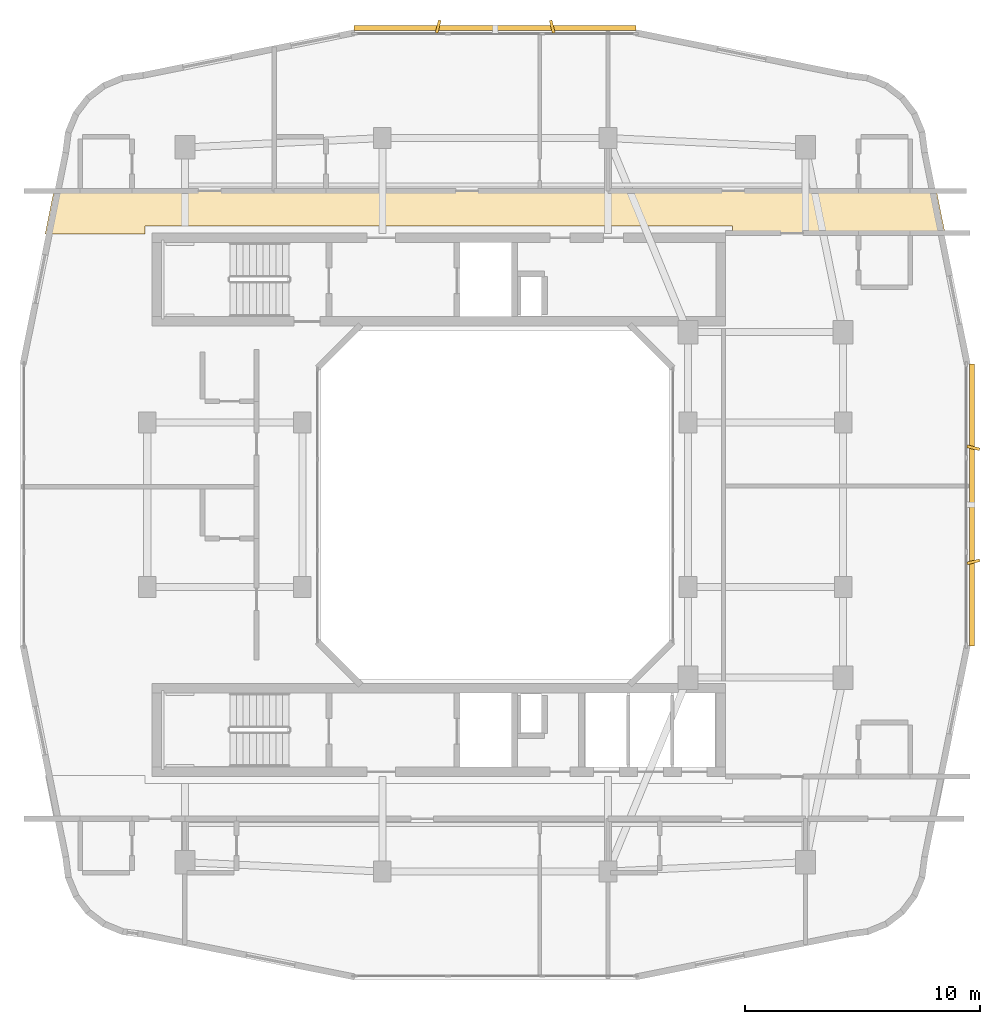
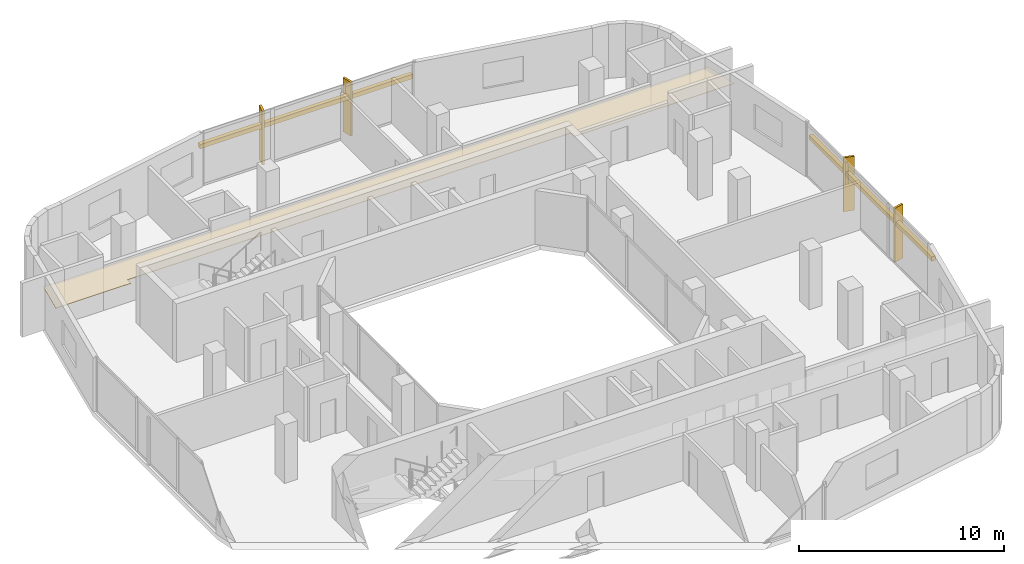
# One storey, part 14 of 14: 6 shading devices, 1 covering.
"""IFC4 building model written with IfcOpenShell, lengths in metres."""

import ifcopenshell
import ifcopenshell.guid

model = None  # the IFC model being written
_history = None  # IfcOwnerHistory: only IFC2X3 demands one
_inside = {}  # id of a spatial element -> (the spatial element, [elements in it])
_under = {}  # id of a project, library or spatial element -> (it, [spatial elements below it])
_declared = {}  # id of a project -> (the project, [libraries it declares])
_typed = {}  # id of a type object -> (the type object, [elements of that type])
_made_of = {}  # id of a material, layer set ... -> (it, [elements and type objects made of it])


def new_model(schema):
    """Start an empty IFC model of exactly this schema.

    Asked for "IFC4X3", IfcOpenShell would pick the latest addendum, in which some entities
    have other attributes; the version numbers below select the first issue.
    IFC2X3 requires an IfcOwnerHistory on every rooted entity: one is made here for all.
    """
    global model, _history
    if schema == "IFC4X3":
        model = ifcopenshell.file(schema_version=(4, 3, 0, 0))
    else:
        model = ifcopenshell.file(schema=schema)
    _inside.clear()
    _under.clear()
    _declared.clear()
    _typed.clear()
    _made_of.clear()
    _history = None
    if model.schema == "IFC2X3":
        org = make("IfcOrganization", Name="unknown")
        user = make(
            "IfcPersonAndOrganization",
            ThePerson=make("IfcPerson", FamilyName="unknown"),
            TheOrganization=org,
        )
        app = make(
            "IfcApplication",
            ApplicationDeveloper=org,
            Version="unknown",
            ApplicationFullName="unknown",
            ApplicationIdentifier="unknown",
        )
        _history = make(
            "IfcOwnerHistory",
            OwningUser=user,
            OwningApplication=app,
            ChangeAction="ADDED",
            CreationDate=0,
        )
    return model


def make(cls, **values):
    """One entity of the class cls with the attributes given. An attribute that is None is left unset."""
    return model.create_entity(
        cls, **{name: value for name, value in values.items() if value is not None}
    )


def rooted(cls, **values):
    """An entity with a GlobalId (a new one), such as an element, a storey or a relation."""
    return make(cls, GlobalId=ifcopenshell.guid.new(), OwnerHistory=_history, **values)


def si_unit(unit_type, name, prefix=None):
    """IfcSIUnit, for example si_unit("LENGTHUNIT", "METRE", prefix="MILLI")."""
    return make("IfcSIUnit", UnitType=unit_type, Prefix=prefix, Name=name)


def derived_unit(unit_type, elements):
    """IfcDerivedUnit: a product of units, each with its exponent."""
    return make(
        "IfcDerivedUnit",
        Elements=[
            make("IfcDerivedUnitElement", Unit=unit, Exponent=power)
            for unit, power in elements
        ],
        UnitType=unit_type,
    )


def assignment(units):
    """IfcUnitAssignment: the units of a project."""
    return None if units is None else make("IfcUnitAssignment", Units=units)


def point(xyz):
    """IfcCartesianPoint."""
    return None if xyz is None else make("IfcCartesianPoint", Coordinates=xyz)


def direction(xyz):
    """IfcDirection."""
    return None if xyz is None else make("IfcDirection", DirectionRatios=xyz)


def frame(location, z_axis=None, x_axis=None):
    """IfcAxis2Placement3D, a coordinate frame: its origin and axes. An axis left out is left unset."""
    return make(
        "IfcAxis2Placement3D",
        Location=point(location),
        Axis=direction(z_axis),
        RefDirection=direction(x_axis),
    )


def frame_2d(location, x_axis=None):
    """IfcAxis2Placement2D, a coordinate frame in the plane: its origin and x axis."""
    return make(
        "IfcAxis2Placement2D", Location=point(location), RefDirection=direction(x_axis)
    )


def origin():
    """The frame at (0, 0, 0) with its axes left unset."""
    return frame((0.0, 0.0, 0.0))


def origin_2d():
    """The frame at (0, 0) in the plane with its x axis left unset."""
    return frame_2d((0.0, 0.0))


def place(relative_to, where):
    """IfcLocalPlacement: puts the frame where relative to a parent placement (None: the world)."""
    return make(
        "IfcLocalPlacement", PlacementRelTo=relative_to, RelativePlacement=where
    )


def context(
    kind, dimensions, precision=None, world=None, true_north=None, identifier=None
):
    """IfcGeometricRepresentationContext, for example the 3D "Model" context."""
    return make(
        "IfcGeometricRepresentationContext",
        ContextIdentifier=identifier,
        ContextType=kind,
        CoordinateSpaceDimension=dimensions,
        Precision=precision,
        WorldCoordinateSystem=world,
        TrueNorth=true_north,
    )


def subcontext(parent, identifier, kind, view, scale=None):
    """IfcGeometricRepresentationSubContext, for example "Body" below "Model"."""
    return make(
        "IfcGeometricRepresentationSubContext",
        ContextIdentifier=identifier,
        ContextType=kind,
        ParentContext=parent,
        TargetScale=scale,
        TargetView=view,
    )


def project(units=None, contexts=None):
    """IfcProject with its units and contexts."""
    return rooted(
        "IfcProject",
        Name="project",
        RepresentationContexts=contexts,
        UnitsInContext=assignment(units),
    )


def spatial(cls, under=None, at=None, **own):
    """A site, building, storey or space (cls), placed at a placement, below another one or the project."""
    s = rooted(cls, ObjectPlacement=at, **own)
    if under is not None:
        _under.setdefault(under.id(), (under, []))[1].append(s)
    return s


def polyline(points):
    """IfcPolyline through the points."""
    return make("IfcPolyline", Points=[point(p) for p in points])


def profile(cls, at=None, kind="AREA", **sizes):
    """A parametric profile (cls). Its sizes go by their IFC names, for example OverallWidth=200.0."""
    return make(cls, ProfileType=kind, Position=at, **sizes)


def rectangle(**sizes):
    """IfcRectangleProfileDef."""
    return profile("IfcRectangleProfileDef", **sizes)


def outline(outer, holes=None, kind="AREA"):
    """IfcArbitraryClosedProfileDef: a profile drawn as a closed curve; with holes, ...WithVoids."""
    if holes is None:
        return make("IfcArbitraryClosedProfileDef", ProfileType=kind, OuterCurve=outer)
    return make(
        "IfcArbitraryProfileDefWithVoids",
        ProfileType=kind,
        OuterCurve=outer,
        InnerCurves=holes,
    )


def extrude(swept, where, along, depth):
    """IfcExtrudedAreaSolid: the profile swept, set in the frame where, extruded along a direction by depth."""
    return make(
        "IfcExtrudedAreaSolid",
        SweptArea=swept,
        Position=where,
        ExtrudedDirection=direction(along),
        Depth=depth,
    )


def shape(context_of_items, identifier, shape_type, items):
    """IfcShapeRepresentation: the items that make up one representation, for example the "Body"."""
    return make(
        "IfcShapeRepresentation",
        ContextOfItems=context_of_items,
        RepresentationIdentifier=identifier,
        RepresentationType=shape_type,
        Items=items,
    )


def material(Name=None, Category=None):
    """IfcMaterial."""
    return make("IfcMaterial", Name=Name, Category=Category)


def layer(
    of_material, thickness, ventilated=None, Name=None, Category=None, Priority=None
):
    """IfcMaterialLayer: one layer of a wall or slab, of a material (None: an air gap)."""
    return make(
        "IfcMaterialLayer",
        Material=of_material,
        LayerThickness=thickness,
        IsVentilated=ventilated,
        Name=Name,
        Category=Category,
        Priority=Priority,
    )


def layer_set(layers, Name=None):
    """IfcMaterialLayerSet."""
    return make("IfcMaterialLayerSet", MaterialLayers=layers, LayerSetName=Name)


def made_of(thing, what):
    """Note that an element or type object is made of a material, layer set ...; save() writes the relation."""
    if what is not None:
        _made_of.setdefault(what.id(), (what, []))[1].append(thing)
    return thing


def type_object(cls, material=None, **own):
    """A type object (cls), such as IfcWallType, which elements share."""
    return made_of(rooted(cls, **own), material)


def element(
    cls,
    number,
    at=None,
    inside=None,
    cuts=None,
    type_object=None,
    material=None,
    context=None,
    identifier="Body",
    shape_type=None,
    held_by="IfcProductDefinitionShape",
    body=None,
    shapes=None,
    **own,
):
    """One element of the class cls, such as IfcWall. Its Tag is "e" and its number.

    at: its placement. inside: the storey or other place that contains it. cuts: it is an
    opening in that element (IfcRelVoidsElement). A single representation is given by context,
    identifier, shape_type and body (its items); several are given by shapes. held_by: the class
    of the entity that holds the representations. save() writes the other relations.
    """
    e = rooted(cls, Tag="e%d" % number, ObjectPlacement=at, **own)
    if body is not None:
        shapes = [shape(context, identifier, shape_type, body)]
    if shapes is not None:
        e.Representation = make(held_by, Representations=shapes)
    if inside is not None:
        _inside.setdefault(inside.id(), (inside, []))[1].append(e)
    if cuts is not None:
        rooted(
            "IfcRelVoidsElement", RelatingBuildingElement=cuts, RelatedOpeningElement=e
        )
    if type_object is not None:
        _typed.setdefault(type_object.id(), (type_object, []))[1].append(e)
    return made_of(e, material)


def aggregate(whole, parts):
    """IfcRelAggregates: a whole, such as a stair, and the parts it consists of."""
    return rooted("IfcRelAggregates", RelatingObject=whole, RelatedObjects=parts)


def save(model, path):
    """Write the relations noted so far, then the file.

    IfcRelAggregates (storeys below a building ...), IfcRelContainedInSpatialStructure (elements
    in a storey), IfcRelDefinesByType, IfcRelAssociatesMaterial and IfcRelDeclares: one each for
    every whole, place, type object, material and project.
    """
    for whole, parts in _under.values():
        aggregate(whole, parts)
    for where, things in _inside.values():
        rooted(
            "IfcRelContainedInSpatialStructure",
            RelatedElements=things,
            RelatingStructure=where,
        )
    for kind, things in _typed.values():
        rooted("IfcRelDefinesByType", RelatedObjects=things, RelatingType=kind)
    for what, things in _made_of.values():
        rooted("IfcRelAssociatesMaterial", RelatedObjects=things, RelatingMaterial=what)
    for by, libraries in _declared.values():
        rooted("IfcRelDeclares", RelatingContext=by, RelatedDefinitions=libraries)
    model.write(path)


model = new_model("IFC4")

# Units and contexts
model_context = context("Model", 3, precision=1e-05, world=origin(), true_north=direction((0.0, 1.0)))
body_context = subcontext(model_context, "Body", "Model", "MODEL_VIEW")
ifc_project = project(units=[si_unit("LENGTHUNIT", "METRE"), si_unit("AREAUNIT", "SQUARE_METRE"), si_unit("VOLUMEUNIT", "CUBIC_METRE"), si_unit("PLANEANGLEUNIT", "RADIAN"), si_unit("MASSUNIT", "GRAM", prefix="KILO"), derived_unit("THERMALTRANSMITTANCEUNIT", [(si_unit("POWERUNIT", "WATT"), 1), (si_unit("LENGTHUNIT", "METRE"), -2), (si_unit("THERMODYNAMICTEMPERATUREUNIT", "KELVIN"), -1)])], contexts=[model_context])

# Site, building, storey
site_placement = place(None, origin())
site = spatial("IfcSite", under=ifc_project, at=site_placement, CompositionType="ELEMENT")
building_placement = place(site_placement, origin())
building = spatial("IfcBuilding", under=site, at=building_placement, Name="Kivonza Crest Hotel", CompositionType="ELEMENT")
storey_placement = place(building_placement, frame((0.0, 0.0, 138.0)))
storey = spatial("IfcBuildingStorey", under=building, at=storey_placement, Name="L37", CompositionType="ELEMENT", Elevation=138.0)

# Covering
ifc_material_1 = material(Name="Moisture-resistant gypsum plasterboard ceiling", Category="gypsum")
ifc_layer = layer(ifc_material_1, 0.030029296875)
ifc_layer_set = layer_set([ifc_layer], Name="Moisture-resistant gypsum plasterboard ceiling")
covering_type = type_object("IfcCoveringType", Name="CV-CEIL-GYP", PredefinedType="CEILING", material=ifc_layer_set)
covering_placement = place(storey_placement, frame((0.0, 0.0, 2.449951171875)))
element("IfcCovering", 1, at=covering_placement, inside=storey, type_object=covering_type, Name="L37 Hotel North Guest Corridor suspended ceiling", PredefinedType="CEILING", context=body_context, shape_type="SweptSolid", body=[
    extrude(outline(polyline([(2.235107421875, 38.389892578125), (1.85791015625, 36.52001953125), (6.10009765625, 36.52001953125), (6.10009765625, 36.860107421875), (31.10009765625, 36.860107421875), (31.10009765625, 36.52001953125), (40.14208984375, 36.52001953125), (39.764892578125, 38.389892578125), (2.235107421875, 38.389892578125)])), origin(), (0.0, 0.0, 1.0), 0.030029296875),
])

# Shading devices
ifc_material_2 = material(Name="Kiln-fired Nairobi red-ochre terracotta", Category="masonry")
shading_device_type_1 = type_object("IfcShadingDeviceType", Name="SH-BAGUETTE-300", PredefinedType="USERDEFINED", material=ifc_material_2)
for number, where, z_axis, x_axis, name in (
    (2, (41.280029296875, 25.0, 2.1240234375), (0.0, 0.0, 1.0), (0.0, 1.0, 0.0), "L37 terracotta baguette screen CW-T1-L37-17"),
    (3, (21.0, 45.280029296875, 2.1240234375), (0.0, 0.0, 1.0), (-1.0, 0.0, 0.0), "L37 terracotta baguette screen CW-T1-L37-26"),
):
    element("IfcShadingDevice", number, at=place(storey_placement, frame(where, z_axis=z_axis, x_axis=x_axis)), inside=storey, type_object=shading_device_type_1, Name=name, ObjectType="BAGUETTE", PredefinedType="USERDEFINED", context=body_context, shape_type="SweptSolid", body=[
        extrude(rectangle(XDim=12.0, YDim=0.219970703125, at=origin_2d()), origin(), (0.0, 0.0, 1.0), 0.260009765625),
    ])
ifc_material_3 = material(Name="Kiln-fired terracotta over extruded aluminium spine", Category="masonry")
shading_device_type_2 = type_object("IfcShadingDeviceType", Name="SH-FIN-550", PredefinedType="USERDEFINED", material=ifc_material_3)
for number, where, z_axis, x_axis, name in (
    (4, (41.340087890625, 22.575927734375, 0.0), (0.0, 0.0, 1.0), (-0.2419218956, 0.970295726276, 0.0), "L37 vertical solar shading fin CW-T1-L37-17-1"),
    (5, (41.340087890625, 27.424072265625, 0.0), (0.0, 0.0, 1.0), (0.2419218956, 0.970295726276, 0.0), "L37 vertical solar shading fin CW-T1-L37-17-2"),
    (6, (23.424072265625, 45.340087890625, 0.0), (0.0, 0.0, 1.0), (-0.970295726276, -0.2419218956, 0.0), "L37 vertical solar shading fin CW-T1-L37-26-1"),
    (7, (18.575927734375, 45.340087890625, 0.0), (0.0, 0.0, 1.0), (-0.970295726276, 0.2419218956, 0.0), "L37 vertical solar shading fin CW-T1-L37-26-2"),
):
    element("IfcShadingDevice", number, at=place(storey_placement, frame(where, z_axis=z_axis, x_axis=x_axis)), inside=storey, type_object=shading_device_type_2, Name=name, ObjectType="FIN", PredefinedType="USERDEFINED", context=body_context, shape_type="SweptSolid", body=[
        extrude(rectangle(XDim=0.1201171875, YDim=0.550048828125, at=origin_2d()), origin(), (0.0, 0.0, 1.0), 3.219970703125),
    ])

save(model, "model.ifc")
